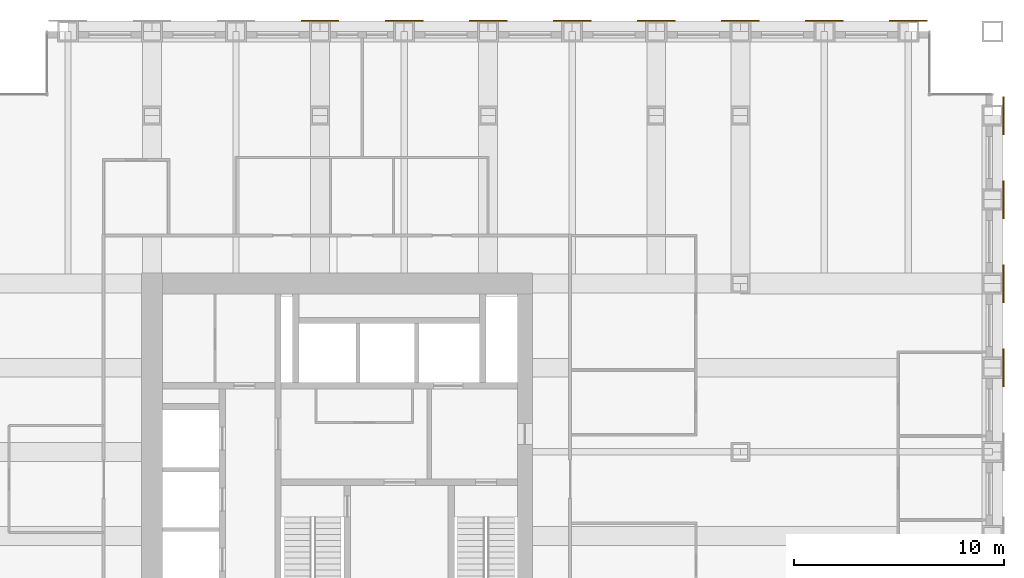
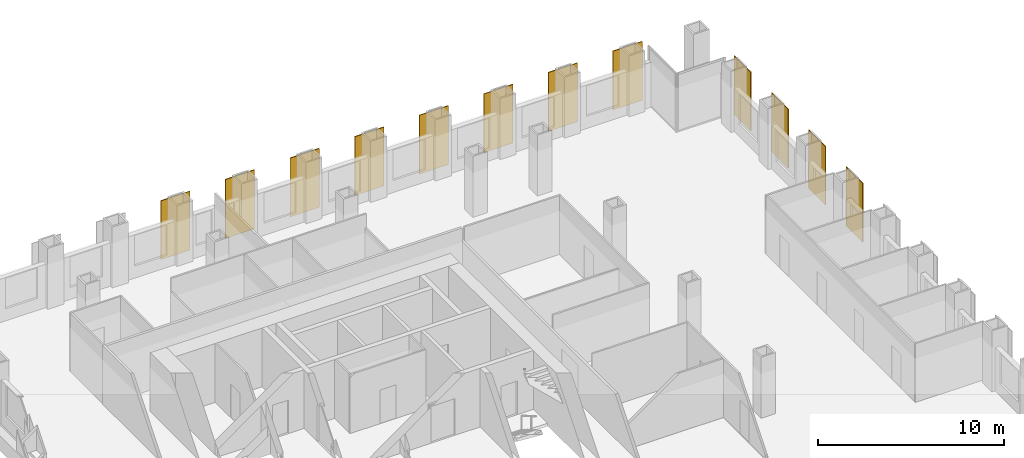
# One storey, part 16 of 16: 12 shading devices.
"""IFC4 building model written with IfcOpenShell, lengths in metres."""

from ifc_helpers import new_model, si_unit, direction, frame, origin, origin_2d, place, context, subcontext, project, spatial, rectangle, extrude, material, layer, layer_set, type_object, element, save


model = new_model("IFC4")

# Units and contexts
model_context = context("Model", 3, precision=1e-05, world=origin(), true_north=direction((0.0, 1.0)))
body_context = subcontext(model_context, "Body", "Model", "MODEL_VIEW")
ifc_project = project(units=[si_unit("LENGTHUNIT", "METRE"), si_unit("AREAUNIT", "SQUARE_METRE"), si_unit("VOLUMEUNIT", "CUBIC_METRE"), si_unit("PLANEANGLEUNIT", "RADIAN"), si_unit("MASSUNIT", "GRAM", prefix="KILO")], contexts=[model_context])

# Site, building, storey
site_placement = place(None, origin())
site = spatial("IfcSite", under=ifc_project, at=site_placement, CompositionType="ELEMENT")
building_placement = place(site_placement, origin())
building = spatial("IfcBuilding", under=site, at=building_placement, Name="Rimbunsela Tower", CompositionType="ELEMENT")
storey_placement = place(building_placement, frame((0.0, 0.0, 89.39990234375)))
storey = spatial("IfcBuildingStorey", under=building, at=storey_placement, Name="L21", CompositionType="ELEMENT", Elevation=89.39990234375)

# Shading devices
ifc_material = material(Name="Perforated aluminium, 35 % open area", Category="aluminium")
ifc_layer = layer(ifc_material, 0.050048828125)
ifc_layer_set = layer_set([ifc_layer], Name="Solar screen panel 1800")
shading_device_type = type_object("IfcShadingDeviceType", Name="Solar screen panel 1800", PredefinedType="USERDEFINED", material=ifc_layer_set)
for number, where, z_axis, x_axis, name in (
    (1, (58.52490234375, 32.0, 0.0), (0.0, 0.0, 1.0), (0.0, 1.0, 0.0), "Solar screen E L21"),
    (2, (58.52490234375, 36.0, 0.0), (0.0, 0.0, 1.0), (0.0, 1.0, 0.0), "Solar screen E L21"),
    (3, (58.52490234375, 40.0, 0.0), (0.0, 0.0, 1.0), (0.0, 1.0, 0.0), "Solar screen E L21"),
    (4, (58.52490234375, 44.0, 0.0), (0.0, 0.0, 1.0), (0.0, 1.0, 0.0), "Solar screen E L21"),
    (5, (26.0, 48.52490234375, 0.0), (0.0, 0.0, 1.0), (1.0, 0.0, 0.0), "Solar screen N L21"),
    (6, (30.0, 48.52490234375, 0.0), (0.0, 0.0, 1.0), (1.0, 0.0, 0.0), "Solar screen N L21"),
    (7, (34.0, 48.52490234375, 0.0), (0.0, 0.0, 1.0), (1.0, 0.0, 0.0), "Solar screen N L21"),
    (8, (38.0, 48.52490234375, 0.0), (0.0, 0.0, 1.0), (1.0, 0.0, 0.0), "Solar screen N L21"),
    (9, (42.0, 48.52490234375, 0.0), (0.0, 0.0, 1.0), (1.0, 0.0, 0.0), "Solar screen N L21"),
    (10, (46.0, 48.52490234375, 0.0), (0.0, 0.0, 1.0), (1.0, 0.0, 0.0), "Solar screen N L21"),
    (11, (50.0, 48.52490234375, 0.0), (0.0, 0.0, 1.0), (1.0, 0.0, 0.0), "Solar screen N L21"),
    (12, (54.0, 48.52490234375, 0.0), (0.0, 0.0, 1.0), (1.0, 0.0, 0.0), "Solar screen N L21"),
):
    element("IfcShadingDevice", number, at=place(storey_placement, frame(where, z_axis=z_axis, x_axis=x_axis)), inside=storey, type_object=shading_device_type, Name=name, ObjectType="SCREEN", PredefinedType="USERDEFINED", context=body_context, shape_type="SweptSolid", body=[
        extrude(rectangle(XDim=1.800048828125, YDim=0.050048828125, at=origin_2d()), origin(), (0.0, 0.0, 1.0), 3.85009765625),
    ])

save(model, "model.ifc")
